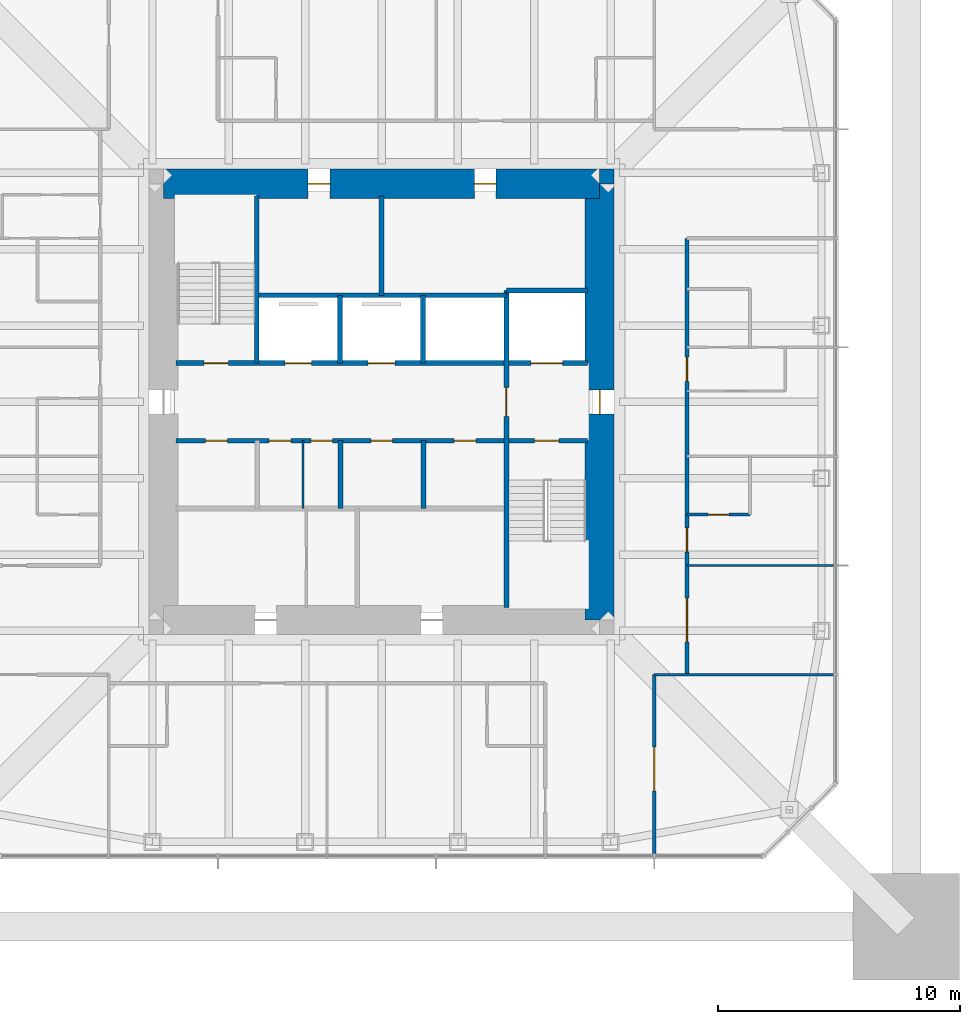
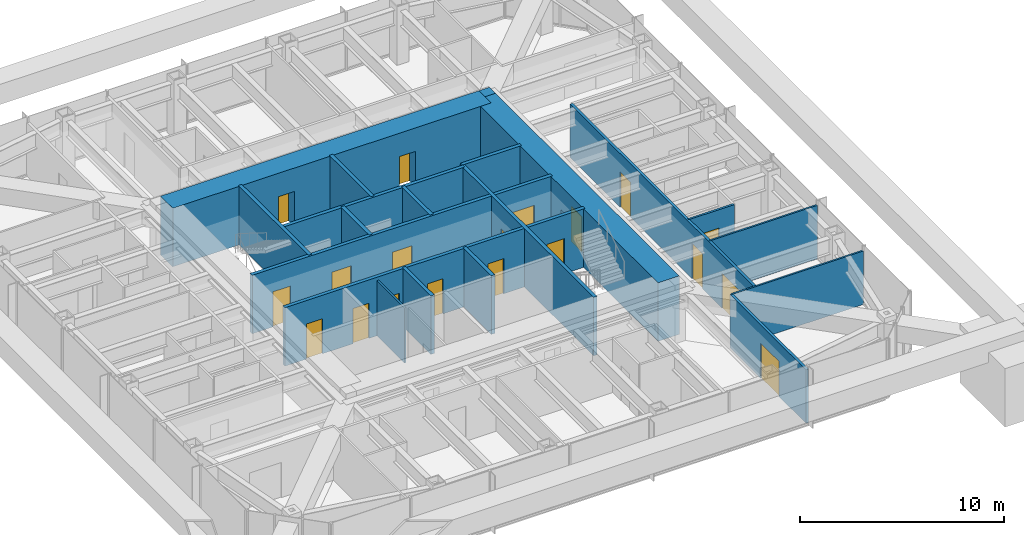
# One storey, part 11 of 15: 20 walls, 19 doors, 19 openings.
"""IFC4 building model written with IfcOpenShell, lengths in metres."""

from ifc_helpers import new_model, si_unit, direction, frame, frame_2d, origin, place, context, subcontext, project, spatial, rectangle, extrude, material, layer, layer_set, type_object, element, fill, save


model = new_model("IFC4")

# Units and contexts
model_context = context("Model", 3, precision=1e-05, world=origin(), true_north=direction((0.0, 1.0)))
body_context = subcontext(model_context, "Body", "Model", "MODEL_VIEW")
ifc_project = project(units=[si_unit("LENGTHUNIT", "METRE"), si_unit("AREAUNIT", "SQUARE_METRE"), si_unit("VOLUMEUNIT", "CUBIC_METRE"), si_unit("PLANEANGLEUNIT", "RADIAN"), si_unit("MASSUNIT", "GRAM", prefix="KILO")], contexts=[model_context])

# Site, building, storey
site_placement = place(None, origin())
site = spatial("IfcSite", under=ifc_project, at=site_placement, CompositionType="ELEMENT")
building_placement = place(site_placement, origin())
building = spatial("IfcBuilding", under=site, at=building_placement, Name="Iwan Alto Co-Living Towers", CompositionType="ELEMENT")
storey_placement = place(building_placement, frame((0.0, 0.0, 205.5)))
storey = spatial("IfcBuildingStorey", under=building, at=storey_placement, Name="L56", CompositionType="ELEMENT", Elevation=205.5)

# Wall, openings, doors
ifc_material_1 = material(Name="Gypsum board")
ifc_layer_1 = layer(ifc_material_1, 0.02490234375, Name="Board", Category="Finish")
ifc_material_2 = material(Name="Steel ASTM A1003 ST33H cold-formed studs", Category="steel")
ifc_layer_2 = layer(ifc_material_2, 0.10009765625, Name="Studs", Category="Framing")
ifc_layer_3 = layer(ifc_material_1, 0.02490234375, Name="Board", Category="Finish")
ifc_layer_set_1 = layer_set([ifc_layer_1, ifc_layer_2, ifc_layer_3], Name="CORRIDOR WALL 150")
wall_type_1 = type_object("IfcWallType", Name="CORRIDOR WALL 150", PredefinedType="PARTITIONING", material=ifc_layer_set_1)
wall_1_placement = place(storey_placement, frame((12.60009765625, -11.25, 0.0), z_axis=(0.0, 0.0, 1.0), x_axis=(0.0, 1.0, 0.0)))
wall_1 = element("IfcWall", 1, at=wall_1_placement, inside=storey, type_object=wall_type_1, Name="Partition L56", PredefinedType="PARTITIONING", context=body_context, shape_type="SweptSolid", body=[
    extrude(rectangle(XDim=18.0, YDim=0.14990234375, at=frame_2d((9.0, 0.0))), origin(), (0.0, 0.0, 1.0), 3.199951171875),
])
opening_1_placement = place(wall_1_placement, frame((1.35009765625, 0.0, 0.0)))
opening_1 = element("IfcOpeningElement", 2, at=opening_1_placement, cuts=wall_1, Name="Opening D9", PredefinedType="OPENING", context=body_context, shape_type="SweptSolid", body=[
    extrude(rectangle(XDim=1.800048828125, YDim=2.10009765625, at=frame_2d((0.89990234375, 1.050048828125))), frame((0.0, 0.0849609375, 0.0), z_axis=(0.0, -1.0, 0.0), x_axis=(1.0, 0.0, 0.0)), (0.0, 0.0, 1.0), 0.169921875),
])
opening_2_placement = place(wall_1_placement, frame((5.050048828125, 0.0, 0.0)))
opening_2 = element("IfcOpeningElement", 3, at=opening_2_placement, cuts=wall_1, Name="Opening D3", PredefinedType="OPENING", context=body_context, shape_type="SweptSolid", body=[
    extrude(rectangle(XDim=1.0, YDim=2.10009765625, at=frame_2d((0.5, 1.050048828125))), frame((0.0, 0.0849609375, 0.0), z_axis=(0.0, -1.0, 0.0), x_axis=(1.0, 0.0, 0.0)), (0.0, 0.0, 1.0), 0.169921875),
])
opening_3_placement = place(wall_1_placement, frame((12.10009765625, 0.0, 0.0)))
opening_3 = element("IfcOpeningElement", 4, at=opening_3_placement, cuts=wall_1, Name="Opening D3", PredefinedType="OPENING", context=body_context, shape_type="SweptSolid", body=[
    extrude(rectangle(XDim=1.0, YDim=2.10009765625, at=frame_2d((0.5, 1.050048828125))), frame((0.0, 0.0849609375, 0.0), z_axis=(0.0, -1.0, 0.0), x_axis=(1.0, 0.0, 0.0)), (0.0, 0.0, 1.0), 0.169921875),
])
ifc_material_3 = material(Name="Steel frame with timber leaf", Category="steel")
door_type_1 = type_object("IfcDoorType", Name="FLAT ENTRANCE DOOR FD30S 1000X2100", OperationType="SINGLE_SWING_LEFT", PredefinedType="DOOR", material=ifc_material_3)
door_1_placement = place(opening_2_placement, frame((1.0, 0.0, 0.0), z_axis=(0.0, 0.0, 1.0), x_axis=(-1.0, 0.0, 0.0)))
door_1 = element("IfcDoor", 5, at=door_1_placement, inside=storey, type_object=door_type_1, Name="Studio door L56", OperationType="SINGLE_SWING_RIGHT", OverallHeight=2.10009765625, OverallWidth=1.0, PredefinedType="DOOR", context=body_context, shape_type="SweptSolid", body=[
    extrude(rectangle(XDim=1.0, YDim=2.10009765625, at=frame_2d((0.5, 1.050048828125))), frame((0.0, 0.02490234375, 0.0), z_axis=(0.0, -1.0, 0.0), x_axis=(1.0, 0.0, 0.0)), (0.0, 0.0, 1.0), 0.050048828125),
])
fill(opening_2, door_1)
door_2_placement = place(opening_3_placement, frame((1.0, 0.0, 0.0), z_axis=(0.0, 0.0, 1.0), x_axis=(-1.0, 0.0, 0.0)))
door_2 = element("IfcDoor", 6, at=door_2_placement, inside=storey, type_object=door_type_1, Name="Apartment foyer door L56", OperationType="SINGLE_SWING_RIGHT", OverallHeight=2.10009765625, OverallWidth=1.0, PredefinedType="DOOR", context=body_context, shape_type="SweptSolid", body=[
    extrude(rectangle(XDim=1.0, YDim=2.10009765625, at=frame_2d((0.5, 1.050048828125))), frame((0.0, 0.02490234375, 0.0), z_axis=(0.0, -1.0, 0.0), x_axis=(1.0, 0.0, 0.0)), (0.0, 0.0, 1.0), 0.050048828125),
])
fill(opening_3, door_2)
ifc_material_4 = material(Name="Steel frame with timber leaf", Category="steel")
door_type_2 = type_object("IfcDoorType", Name="LOUNGE DOOR FD30S 1800X2100", OperationType="DOUBLE_DOOR_SINGLE_SWING", PredefinedType="DOOR", material=ifc_material_4)
door_3_placement = place(opening_1_placement, frame((1.800048828125, 0.0, 0.0), z_axis=(0.0, 0.0, 1.0), x_axis=(-1.0, 0.0, 0.0)))
door_3 = element("IfcDoor", 7, at=door_3_placement, inside=storey, type_object=door_type_2, Name="Teaching kitchen door L56", OperationType="DOUBLE_DOOR_SINGLE_SWING", OverallHeight=2.10009765625, OverallWidth=1.800048828125, PredefinedType="DOOR", context=body_context, shape_type="SweptSolid", body=[
    extrude(rectangle(XDim=1.800048828125, YDim=2.10009765625, at=frame_2d((0.89990234375, 1.050048828125))), frame((0.0, 0.02490234375, 0.0), z_axis=(0.0, -1.0, 0.0), x_axis=(1.0, 0.0, 0.0)), (0.0, 0.0, 1.0), 0.050048828125),
])
fill(opening_1, door_3)

# Wall, opening, door
wall_2_placement = place(storey_placement, frame((11.25, -18.68994140625, 0.0), z_axis=(0.0, 0.0, 1.0), x_axis=(0.0, 1.0, 0.0)))
wall_2 = element("IfcWall", 8, at=wall_2_placement, inside=storey, type_object=wall_type_1, Name="Partition L56", PredefinedType="PARTITIONING", context=body_context, shape_type="SweptSolid", body=[
    extrude(rectangle(XDim=7.43994140625, YDim=0.14990234375, at=frame_2d((3.719970703125, 0.0))), origin(), (0.0, 0.0, 1.0), 3.199951171875),
])
opening_4_placement = place(wall_2_placement, frame((2.64501953125, 0.0, 0.0)))
opening_4 = element("IfcOpeningElement", 9, at=opening_4_placement, cuts=wall_2, Name="Opening D9", PredefinedType="OPENING", context=body_context, shape_type="SweptSolid", body=[
    extrude(rectangle(XDim=1.800048828125, YDim=2.10009765625, at=frame_2d((0.89990234375, 1.050048828125))), frame((0.0, 0.0849609375, 0.0), z_axis=(0.0, -1.0, 0.0), x_axis=(1.0, 0.0, 0.0)), (0.0, 0.0, 1.0), 0.169921875),
])
door_4_placement = place(opening_4_placement, frame((1.800048828125, 0.0, 0.0), z_axis=(0.0, 0.0, 1.0), x_axis=(-1.0, 0.0, 0.0)))
door_4 = element("IfcDoor", 10, at=door_4_placement, inside=storey, type_object=door_type_2, Name="Courtyard lounge door L56", OperationType="DOUBLE_DOOR_SINGLE_SWING", OverallHeight=2.10009765625, OverallWidth=1.800048828125, PredefinedType="DOOR", context=body_context, shape_type="SweptSolid", body=[
    extrude(rectangle(XDim=1.800048828125, YDim=2.10009765625, at=frame_2d((0.89990234375, 1.050048828125))), frame((0.0, 0.02490234375, 0.0), z_axis=(0.0, -1.0, 0.0), x_axis=(1.0, 0.0, 0.0)), (0.0, 0.0, 1.0), 0.050048828125),
])
fill(opening_4, door_4)

# Walls
ifc_layer_4 = layer(ifc_material_1, 0.012451171875, Name="Board", Category="Finish")
ifc_layer_5 = layer(ifc_material_2, 0.074951171875, Name="Studs", Category="Framing")
ifc_layer_6 = layer(ifc_material_1, 0.012451171875, Name="Board", Category="Finish")
ifc_layer_set_2 = layer_set([ifc_layer_4, ifc_layer_5, ifc_layer_6], Name="PARTITION 100")
wall_type_2 = type_object("IfcWallType", Name="PARTITION 100", PredefinedType="PARTITIONING", material=ifc_layer_set_2)
wall_3_placement = place(storey_placement, frame((11.25, -11.25, 0.0), z_axis=(0.0, 0.0, 1.0), x_axis=(1.0, 0.0, 0.0)))
element("IfcWall", 11, at=wall_3_placement, inside=storey, type_object=wall_type_2, Name="Partition L56", PredefinedType="PARTITIONING", context=body_context, shape_type="SweptSolid", body=[
    extrude(rectangle(XDim=7.43994140625, YDim=0.10009765625, at=frame_2d((3.719970703125, 0.0))), origin(), (0.0, 0.0, 1.0), 3.199951171875),
])
wall_4_placement = place(storey_placement, frame((12.60009765625, -6.75, 0.0), z_axis=(0.0, 0.0, 1.0), x_axis=(1.0, 0.0, 0.0)))
element("IfcWall", 12, at=wall_4_placement, inside=storey, type_object=wall_type_2, Name="Partition L56", PredefinedType="PARTITIONING", context=body_context, shape_type="SweptSolid", body=[
    extrude(rectangle(XDim=6.08984375, YDim=0.10009765625, at=frame_2d((3.044921875, 0.0))), origin(), (0.0, 0.0, 1.0), 3.199951171875),
])
wall_5_placement = place(storey_placement, frame((-3.240966796875, -4.39990234375, 0.0), z_axis=(0.0, 0.0, 1.0), x_axis=(0.0, 1.0, 0.0)))
element("IfcWall", 13, at=wall_5_placement, inside=storey, type_object=wall_type_2, Name="Partition L56", PredefinedType="PARTITIONING", context=body_context, shape_type="SweptSolid", body=[
    extrude(rectangle(XDim=2.7998046875, YDim=0.10009765625, at=frame_2d((1.39990234375, 0.0))), origin(), (0.0, 0.0, 1.0), 3.300048828125),
])

# Wall, openings, doors
ifc_material_5 = material(Name="Concrete f'c 70 MPa", Category="concrete")
ifc_layer_7 = layer(ifc_material_5, 0.199951171875)
ifc_layer_set_3 = layer_set([ifc_layer_7], Name="SHAFT WALL 200")
wall_type_3 = type_object("IfcWallType", Name="SHAFT WALL 200", PredefinedType="SOLIDWALL", material=ifc_layer_set_3)
wall_6_placement = place(storey_placement, frame((-8.489990234375, -1.60009765625, 0.0), z_axis=(0.0, 0.0, 1.0), x_axis=(1.0, 0.0, 0.0)))
wall_6 = element("IfcWall", 14, at=wall_6_placement, inside=storey, type_object=wall_type_3, Name="Shaft wall L56", PredefinedType="SOLIDWALL", context=body_context, shape_type="SweptSolid", body=[
    extrude(rectangle(XDim=16.97998046875, YDim=0.199951171875, at=frame_2d((8.489990234375, 0.0))), origin(), (0.0, 0.0, 1.0), 3.5),
])
opening_5_placement = place(wall_6_placement, frame((14.81005859375, 0.0, 0.0)))
opening_5 = element("IfcOpeningElement", 15, at=opening_5_placement, cuts=wall_6, Name="Opening D5", PredefinedType="OPENING", context=body_context, shape_type="SweptSolid", body=[
    extrude(rectangle(XDim=1.0, YDim=2.10009765625, at=frame_2d((0.5, 1.050048828125))), frame((0.0, 0.10986328125, 0.0), z_axis=(0.0, -1.0, 0.0), x_axis=(1.0, 0.0, 0.0)), (0.0, 0.0, 1.0), 0.219970703125),
])
opening_6_placement = place(wall_6_placement, frame((1.23193359375, 0.0, 0.0)))
opening_6 = element("IfcOpeningElement", 16, at=opening_6_placement, cuts=wall_6, Name="Opening D15", PredefinedType="OPENING", context=body_context, shape_type="SweptSolid", body=[
    extrude(rectangle(XDim=0.89990234375, YDim=2.10009765625, at=frame_2d((0.449951171875, 1.050048828125))), frame((0.0, 0.10986328125, 0.0), z_axis=(0.0, -1.0, 0.0), x_axis=(1.0, 0.0, 0.0)), (0.0, 0.0, 1.0), 0.219970703125),
])
opening_7_placement = place(wall_6_placement, frame((5.570068359375, 0.0, 0.0)))
opening_7 = element("IfcOpeningElement", 17, at=opening_7_placement, cuts=wall_6, Name="Opening D15", PredefinedType="OPENING", context=body_context, shape_type="SweptSolid", body=[
    extrude(rectangle(XDim=0.89990234375, YDim=2.10009765625, at=frame_2d((0.449951171875, 1.050048828125))), frame((0.0, 0.10986328125, 0.0), z_axis=(0.0, -1.0, 0.0), x_axis=(1.0, 0.0, 0.0)), (0.0, 0.0, 1.0), 0.219970703125),
])
opening_8_placement = place(wall_6_placement, frame((3.85693359375, 0.0, 0.0)))
opening_8 = element("IfcOpeningElement", 18, at=opening_8_placement, cuts=wall_6, Name="Opening D15", PredefinedType="OPENING", context=body_context, shape_type="SweptSolid", body=[
    extrude(rectangle(XDim=0.89990234375, YDim=2.10009765625, at=frame_2d((0.449951171875, 1.050048828125))), frame((0.0, 0.10986328125, 0.0), z_axis=(0.0, -1.0, 0.0), x_axis=(1.0, 0.0, 0.0)), (0.0, 0.0, 1.0), 0.219970703125),
])
opening_9_placement = place(wall_6_placement, frame((8.052001953125, 0.0, 0.0)))
opening_9 = element("IfcOpeningElement", 19, at=opening_9_placement, cuts=wall_6, Name="Opening D15", PredefinedType="OPENING", context=body_context, shape_type="SweptSolid", body=[
    extrude(rectangle(XDim=0.89990234375, YDim=2.10009765625, at=frame_2d((0.449951171875, 1.050048828125))), frame((0.0, 0.10986328125, 0.0), z_axis=(0.0, -1.0, 0.0), x_axis=(1.0, 0.0, 0.0)), (0.0, 0.0, 1.0), 0.219970703125),
])
opening_10_placement = place(wall_6_placement, frame((11.47802734375, 0.0, 0.0)))
opening_10 = element("IfcOpeningElement", 20, at=opening_10_placement, cuts=wall_6, Name="Opening D15", PredefinedType="OPENING", context=body_context, shape_type="SweptSolid", body=[
    extrude(rectangle(XDim=0.89990234375, YDim=2.10009765625, at=frame_2d((0.449951171875, 1.050048828125))), frame((0.0, 0.10986328125, 0.0), z_axis=(0.0, -1.0, 0.0), x_axis=(1.0, 0.0, 0.0)), (0.0, 0.0, 1.0), 0.219970703125),
])
ifc_material_6 = material(Name="Steel frame with timber leaf", Category="steel")
door_type_3 = type_object("IfcDoorType", Name="CORE ROOM DOOR FD60S 900X2100", OperationType="SINGLE_SWING_LEFT", PredefinedType="DOOR", material=ifc_material_6)
door_5_placement = place(opening_6_placement, frame((0.89990234375, 0.0, 0.0), z_axis=(0.0, 0.0, 1.0), x_axis=(-1.0, 0.0, 0.0)))
door_5 = element("IfcDoor", 21, at=door_5_placement, inside=storey, type_object=door_type_3, Name="Guest pantry door L56", OperationType="SINGLE_SWING_LEFT", OverallHeight=2.10009765625, OverallWidth=0.89990234375, PredefinedType="DOOR", context=body_context, shape_type="SweptSolid", body=[
    extrude(rectangle(XDim=0.89990234375, YDim=2.10009765625, at=frame_2d((0.449951171875, 1.050048828125))), frame((0.0, 0.02490234375, 0.0), z_axis=(0.0, -1.0, 0.0), x_axis=(1.0, 0.0, 0.0)), (0.0, 0.0, 1.0), 0.050048828125),
])
fill(opening_6, door_5)
door_6_placement = place(opening_7_placement, frame((0.89990234375, 0.0, 0.0), z_axis=(0.0, 0.0, 1.0), x_axis=(-1.0, 0.0, 0.0)))
door_6 = element("IfcDoor", 22, at=door_6_placement, inside=storey, type_object=door_type_3, Name="Linen store door L56", OperationType="SINGLE_SWING_RIGHT", OverallHeight=2.10009765625, OverallWidth=0.89990234375, PredefinedType="DOOR", context=body_context, shape_type="SweptSolid", body=[
    extrude(rectangle(XDim=0.89990234375, YDim=2.10009765625, at=frame_2d((0.449951171875, 1.050048828125))), frame((0.0, 0.02490234375, 0.0), z_axis=(0.0, -1.0, 0.0), x_axis=(1.0, 0.0, 0.0)), (0.0, 0.0, 1.0), 0.050048828125),
])
fill(opening_7, door_6)
door_7_placement = place(opening_8_placement, frame((0.89990234375, 0.0, 0.0), z_axis=(0.0, 0.0, 1.0), x_axis=(-1.0, 0.0, 0.0)))
door_7 = element("IfcDoor", 23, at=door_7_placement, inside=storey, type_object=door_type_3, Name="Staff WC door L56", OperationType="SINGLE_SWING_RIGHT", OverallHeight=2.10009765625, OverallWidth=0.89990234375, PredefinedType="DOOR", context=body_context, shape_type="SweptSolid", body=[
    extrude(rectangle(XDim=0.89990234375, YDim=2.10009765625, at=frame_2d((0.449951171875, 1.050048828125))), frame((0.0, 0.02490234375, 0.0), z_axis=(0.0, -1.0, 0.0), x_axis=(1.0, 0.0, 0.0)), (0.0, 0.0, 1.0), 0.050048828125),
])
fill(opening_8, door_7)
door_8_placement = place(opening_9_placement, frame((0.89990234375, 0.0, 0.0), z_axis=(0.0, 0.0, 1.0), x_axis=(-1.0, 0.0, 0.0)))
door_8 = element("IfcDoor", 24, at=door_8_placement, inside=storey, type_object=door_type_3, Name="Comms room door L56", OperationType="SINGLE_SWING_RIGHT", OverallHeight=2.10009765625, OverallWidth=0.89990234375, PredefinedType="DOOR", context=body_context, shape_type="SweptSolid", body=[
    extrude(rectangle(XDim=0.89990234375, YDim=2.10009765625, at=frame_2d((0.449951171875, 1.050048828125))), frame((0.0, 0.02490234375, 0.0), z_axis=(0.0, -1.0, 0.0), x_axis=(1.0, 0.0, 0.0)), (0.0, 0.0, 1.0), 0.050048828125),
])
fill(opening_9, door_8)
door_9_placement = place(opening_10_placement, frame((0.89990234375, 0.0, 0.0), z_axis=(0.0, 0.0, 1.0), x_axis=(-1.0, 0.0, 0.0)))
door_9 = element("IfcDoor", 25, at=door_9_placement, inside=storey, type_object=door_type_3, Name="Vending and ice room door L56", OperationType="SINGLE_SWING_RIGHT", OverallHeight=2.10009765625, OverallWidth=0.89990234375, PredefinedType="DOOR", context=body_context, shape_type="SweptSolid", body=[
    extrude(rectangle(XDim=0.89990234375, YDim=2.10009765625, at=frame_2d((0.449951171875, 1.050048828125))), frame((0.0, 0.02490234375, 0.0), z_axis=(0.0, -1.0, 0.0), x_axis=(1.0, 0.0, 0.0)), (0.0, 0.0, 1.0), 0.050048828125),
])
fill(opening_10, door_9)
ifc_material_7 = material(Name="Steel frame with timber leaf", Category="steel")
door_type_4 = type_object("IfcDoorType", Name="STAIR DOOR FD120S 1000X2100", OperationType="SINGLE_SWING_LEFT", PredefinedType="DOOR", material=ifc_material_7)
door_10_placement = place(opening_5_placement, frame((1.0, 0.0, 0.0), z_axis=(0.0, 0.0, 1.0), x_axis=(-1.0, 0.0, 0.0)))
door_10 = element("IfcDoor", 26, at=door_10_placement, inside=storey, type_object=door_type_4, Name="Stair S2 door L56", OperationType="SINGLE_SWING_RIGHT", OverallHeight=2.10009765625, OverallWidth=1.0, PredefinedType="DOOR", context=body_context, shape_type="SweptSolid", body=[
    extrude(rectangle(XDim=1.0, YDim=2.10009765625, at=frame_2d((0.5, 1.050048828125))), frame((0.0, 0.02490234375, 0.0), z_axis=(0.0, -1.0, 0.0), x_axis=(1.0, 0.0, 0.0)), (0.0, 0.0, 1.0), 0.050048828125),
])
fill(opening_5, door_10)

wall_7_placement = place(storey_placement, frame((-8.489990234375, 1.60009765625, 0.0), z_axis=(0.0, 0.0, 1.0), x_axis=(1.0, 0.0, 0.0)))
wall_7 = element("IfcWall", 27, at=wall_7_placement, inside=storey, type_object=wall_type_3, Name="Shaft wall L56", PredefinedType="SOLIDWALL", context=body_context, shape_type="SweptSolid", body=[
    extrude(rectangle(XDim=16.97998046875, YDim=0.199951171875, at=frame_2d((8.489990234375, 0.0))), origin(), (0.0, 0.0, 1.0), 3.5),
])
opening_11_placement = place(wall_7_placement, frame((1.169921875, 0.0, 0.0)))
opening_11 = element("IfcOpeningElement", 28, at=opening_11_placement, cuts=wall_7, Name="Opening D5", PredefinedType="OPENING", context=body_context, shape_type="SweptSolid", body=[
    extrude(rectangle(XDim=1.0, YDim=2.10009765625, at=frame_2d((0.5, 1.050048828125))), frame((0.0, 0.10986328125, 0.0), z_axis=(0.0, -1.0, 0.0), x_axis=(1.0, 0.0, 0.0)), (0.0, 0.0, 1.0), 0.219970703125),
])
opening_12_placement = place(wall_7_placement, frame((4.506103515625, 0.0, 0.0)))
opening_12 = element("IfcOpeningElement", 29, at=opening_12_placement, cuts=wall_7, Name="Opening LD", PredefinedType="OPENING", context=body_context, shape_type="SweptSolid", body=[
    extrude(rectangle(XDim=1.10009765625, YDim=2.10009765625, at=frame_2d((0.550048828125, 1.050048828125))), frame((0.0, 0.10986328125, 0.0), z_axis=(0.0, -1.0, 0.0), x_axis=(1.0, 0.0, 0.0)), (0.0, 0.0, 1.0), 0.219970703125),
])
opening_13_placement = place(wall_7_placement, frame((7.93994140625, 0.0, 0.0)))
opening_13 = element("IfcOpeningElement", 30, at=opening_13_placement, cuts=wall_7, Name="Opening LD", PredefinedType="OPENING", context=body_context, shape_type="SweptSolid", body=[
    extrude(rectangle(XDim=1.10009765625, YDim=2.10009765625, at=frame_2d((0.550048828125, 1.050048828125))), frame((0.0, 0.10986328125, 0.0), z_axis=(0.0, -1.0, 0.0), x_axis=(1.0, 0.0, 0.0)), (0.0, 0.0, 1.0), 0.219970703125),
])
opening_14_placement = place(wall_7_placement, frame((14.659912109375, 0.0, 0.0)))
opening_14 = element("IfcOpeningElement", 31, at=opening_14_placement, cuts=wall_7, Name="Opening LD2", PredefinedType="OPENING", context=body_context, shape_type="SweptSolid", body=[
    extrude(rectangle(XDim=1.300048828125, YDim=2.10009765625, at=frame_2d((0.64990234375, 1.050048828125))), frame((0.0, 0.10986328125, 0.0), z_axis=(0.0, -1.0, 0.0), x_axis=(1.0, 0.0, 0.0)), (0.0, 0.0, 1.0), 0.219970703125),
])
ifc_material_8 = material(Name="Steel frame with timber leaf", Category="steel")
door_type_5 = type_object("IfcDoorType", Name="LIFT LANDING DOOR 1100X2100", OperationType="DOUBLE_DOOR_SLIDING", PredefinedType="DOOR", material=ifc_material_8)
door_11_placement = place(opening_12_placement, origin())
door_11 = element("IfcDoor", 32, at=door_11_placement, inside=storey, type_object=door_type_5, Name="Lift P3-1 landing door L56", OperationType="DOUBLE_DOOR_SLIDING", OverallHeight=2.10009765625, OverallWidth=1.10009765625, PredefinedType="DOOR", context=body_context, shape_type="SweptSolid", body=[
    extrude(rectangle(XDim=1.10009765625, YDim=2.10009765625, at=frame_2d((0.550048828125, 1.050048828125))), frame((0.0, 0.02490234375, 0.0), z_axis=(0.0, -1.0, 0.0), x_axis=(1.0, 0.0, 0.0)), (0.0, 0.0, 1.0), 0.050048828125),
])
fill(opening_12, door_11)
door_12_placement = place(opening_13_placement, origin())
door_12 = element("IfcDoor", 33, at=door_12_placement, inside=storey, type_object=door_type_5, Name="Lift P3-2 landing door L56", OperationType="DOUBLE_DOOR_SLIDING", OverallHeight=2.10009765625, OverallWidth=1.10009765625, PredefinedType="DOOR", context=body_context, shape_type="SweptSolid", body=[
    extrude(rectangle(XDim=1.10009765625, YDim=2.10009765625, at=frame_2d((0.550048828125, 1.050048828125))), frame((0.0, 0.02490234375, 0.0), z_axis=(0.0, -1.0, 0.0), x_axis=(1.0, 0.0, 0.0)), (0.0, 0.0, 1.0), 0.050048828125),
])
fill(opening_13, door_12)
ifc_material_9 = material(Name="Steel frame with timber leaf", Category="steel")
door_type_6 = type_object("IfcDoorType", Name="LIFT LANDING DOOR 1300X2100", OperationType="SLIDING_TO_LEFT", PredefinedType="DOOR", material=ifc_material_9)
door_13_placement = place(opening_14_placement, origin())
door_13 = element("IfcDoor", 34, at=door_13_placement, inside=storey, type_object=door_type_6, Name="Lift FL1 landing door L56", OperationType="SLIDING_TO_LEFT", OverallHeight=2.10009765625, OverallWidth=1.300048828125, PredefinedType="DOOR", context=body_context, shape_type="SweptSolid", body=[
    extrude(rectangle(XDim=1.300048828125, YDim=2.10009765625, at=frame_2d((0.64990234375, 1.050048828125))), frame((0.0, 0.02490234375, 0.0), z_axis=(0.0, -1.0, 0.0), x_axis=(1.0, 0.0, 0.0)), (0.0, 0.0, 1.0), 0.050048828125),
])
fill(opening_14, door_13)
door_14_placement = place(opening_11_placement, origin())
door_14 = element("IfcDoor", 35, at=door_14_placement, inside=storey, type_object=door_type_4, Name="Stair S1 door L56", OperationType="SINGLE_SWING_RIGHT", OverallHeight=2.10009765625, OverallWidth=1.0, PredefinedType="DOOR", context=body_context, shape_type="SweptSolid", body=[
    extrude(rectangle(XDim=1.0, YDim=2.10009765625, at=frame_2d((0.5, 1.050048828125))), frame((0.0, 0.02490234375, 0.0), z_axis=(0.0, -1.0, 0.0), x_axis=(1.0, 0.0, 0.0)), (0.0, 0.0, 1.0), 0.050048828125),
])
fill(opening_11, door_14)

# Walls
wall_8_placement = place(storey_placement, frame((-5.14990234375, 4.39990234375, 0.0), z_axis=(0.0, 0.0, 1.0), x_axis=(1.0, 0.0, 0.0)))
element("IfcWall", 36, at=wall_8_placement, inside=storey, type_object=wall_type_3, Name="Shaft wall L56", PredefinedType="SOLIDWALL", context=body_context, shape_type="SweptSolid", body=[
    extrude(rectangle(XDim=10.2998046875, YDim=0.199951171875, at=frame_2d((5.14990234375, 0.0))), origin(), (0.0, 0.0, 1.0), 3.5),
])
wall_9_placement = place(storey_placement, frame((5.14990234375, 4.60009765625, 0.0), z_axis=(0.0, 0.0, 1.0), x_axis=(1.0, 0.0, 0.0)))
element("IfcWall", 37, at=wall_9_placement, inside=storey, type_object=wall_type_3, Name="Shaft wall L56", PredefinedType="SOLIDWALL", context=body_context, shape_type="SweptSolid", body=[
    extrude(rectangle(XDim=3.340087890625, YDim=0.199951171875, at=frame_2d((1.669921875, 0.0))), origin(), (0.0, 0.0, 1.0), 3.5),
])

# Wall, opening, door
wall_10_placement = place(storey_placement, frame((5.14990234375, -8.489990234375, 0.0), z_axis=(0.0, 0.0, 1.0), x_axis=(0.0, 1.0, 0.0)))
wall_10 = element("IfcWall", 38, at=wall_10_placement, inside=storey, type_object=wall_type_3, Name="Shaft wall L56", PredefinedType="SOLIDWALL", context=body_context, shape_type="SweptSolid", body=[
    extrude(rectangle(XDim=13.090087890625, YDim=0.199951171875, at=frame_2d((6.544921875, 0.0))), origin(), (0.0, 0.0, 1.0), 3.5),
])
opening_15_placement = place(wall_10_placement, frame((7.889892578125, 0.0, 0.0)))
opening_15 = element("IfcOpeningElement", 39, at=opening_15_placement, cuts=wall_10, Name="Opening D6", PredefinedType="OPENING", context=body_context, shape_type="SweptSolid", body=[
    extrude(rectangle(XDim=1.199951171875, YDim=2.10009765625, at=frame_2d((0.60009765625, 1.050048828125))), frame((0.0, 0.10986328125, 0.0), z_axis=(0.0, -1.0, 0.0), x_axis=(1.0, 0.0, 0.0)), (0.0, 0.0, 1.0), 0.219970703125),
])
ifc_material_10 = material(Name="Steel frame with timber leaf", Category="steel")
door_type_7 = type_object("IfcDoorType", Name="LOBBY DOOR FD120S 1200X2100", OperationType="SINGLE_SWING_LEFT", PredefinedType="DOOR", material=ifc_material_10)
door_15_placement = place(opening_15_placement, frame((1.199951171875, 0.0, 0.0), z_axis=(0.0, 0.0, 1.0), x_axis=(-1.0, 0.0, 0.0)))
door_15 = element("IfcDoor", 40, at=door_15_placement, inside=storey, type_object=door_type_7, Name="Firefighting lobby door L56", OperationType="SINGLE_SWING_RIGHT", OverallHeight=2.10009765625, OverallWidth=1.199951171875, PredefinedType="DOOR", context=body_context, shape_type="SweptSolid", body=[
    extrude(rectangle(XDim=1.199951171875, YDim=2.10009765625, at=frame_2d((0.60009765625, 1.050048828125))), frame((0.0, 0.02490234375, 0.0), z_axis=(0.0, -1.0, 0.0), x_axis=(1.0, 0.0, 0.0)), (0.0, 0.0, 1.0), 0.050048828125),
])
fill(opening_15, door_15)

# Walls
for number, where, z_axis, x_axis, name in (
    (41, (1.72509765625, -4.39990234375, 0.0), (0.0, 0.0, 1.0), (0.0, 1.0, 0.0), "Shaft wall L56"),
    (42, (1.717041015625, 1.60009765625, 0.0), (0.0, 0.0, 1.0), (0.0, 1.0, 0.0), "Shaft wall L56"),
):
    element("IfcWall", number, at=place(storey_placement, frame(where, z_axis=z_axis, x_axis=x_axis)), inside=storey, type_object=wall_type_3, Name=name, PredefinedType="SOLIDWALL", context=body_context, shape_type="SweptSolid", body=[
        extrude(rectangle(XDim=2.7998046875, YDim=0.199951171875, at=frame_2d((1.39990234375, 0.0))), origin(), (0.0, 0.0, 1.0), 3.5),
    ])
wall_11_placement = place(storey_placement, frame((0.0, 4.39990234375, 0.0), z_axis=(0.0, 0.0, 1.0), x_axis=(0.0, 1.0, 0.0)))
element("IfcWall", 43, at=wall_11_placement, inside=storey, type_object=wall_type_3, Name="Shaft wall L56", PredefinedType="SOLIDWALL", context=body_context, shape_type="SweptSolid", body=[
    extrude(rectangle(XDim=4.090087890625, YDim=0.199951171875, at=frame_2d((2.044921875, 0.0))), origin(), (0.0, 0.0, 1.0), 3.5),
])
for number, where, z_axis, x_axis, name in (
    (44, (-1.699951171875, -4.39990234375, 0.0), (0.0, 0.0, 1.0), (0.0, 1.0, 0.0), "Shaft wall L56"),
    (45, (-1.717041015625, 1.60009765625, 0.0), (0.0, 0.0, 1.0), (0.0, 1.0, 0.0), "Shaft wall L56"),
):
    element("IfcWall", number, at=place(storey_placement, frame(where, z_axis=z_axis, x_axis=x_axis)), inside=storey, type_object=wall_type_3, Name=name, PredefinedType="SOLIDWALL", context=body_context, shape_type="SweptSolid", body=[
        extrude(rectangle(XDim=2.7998046875, YDim=0.199951171875, at=frame_2d((1.39990234375, 0.0))), origin(), (0.0, 0.0, 1.0), 3.5),
    ])
wall_12_placement = place(storey_placement, frame((-5.14990234375, 1.60009765625, 0.0), z_axis=(0.0, 0.0, 1.0), x_axis=(0.0, 1.0, 0.0)))
element("IfcWall", 46, at=wall_12_placement, inside=storey, type_object=wall_type_3, Name="Shaft wall L56", PredefinedType="SOLIDWALL", context=body_context, shape_type="SweptSolid", body=[
    extrude(rectangle(XDim=6.889892578125, YDim=0.199951171875, at=frame_2d((3.44482421875, 0.0))), origin(), (0.0, 0.0, 1.0), 3.5),
])
ifc_material_11 = material(Name="Concrete f'c 70 MPa", Category="concrete")
ifc_layer_8 = layer(ifc_material_11, 0.60009765625)
ifc_layer_set_4 = layer_set([ifc_layer_8], Name="T1 CORE CORNER FILL 600")
wall_type_4 = type_object("IfcWallType", Name="T1 CORE CORNER FILL 600", PredefinedType="SOLIDWALL", material=ifc_layer_set_4)
wall_13_placement = place(storey_placement, frame((9.0, 9.300048828125, 0.0), z_axis=(0.0, 0.0, 1.0), x_axis=(1.0, 0.0, 0.0)))
element("IfcWall", 47, at=wall_13_placement, inside=storey, type_object=wall_type_4, Name="T1 core corner NE L56", PredefinedType="SOLIDWALL", context=body_context, shape_type="SweptSolid", body=[
    extrude(rectangle(XDim=0.60009765625, YDim=0.60009765625, at=frame_2d((0.300048828125, 0.0))), origin(), (0.0, 0.0, 1.0), 3.5),
])

# Wall, openings, doors
ifc_material_12 = material(Name="Concrete f'c 70 MPa", Category="concrete")
ifc_layer_9 = layer(ifc_material_12, 1.199951171875)
ifc_layer_set_5 = layer_set([ifc_layer_9], Name="T1 CORE WALL 1200")
wall_type_5 = type_object("IfcWallType", Name="T1 CORE WALL 1200", PredefinedType="SHEAR", material=ifc_layer_set_5)
wall_14_placement = place(storey_placement, frame((9.0, 9.0, 0.0), z_axis=(0.0, 0.0, 1.0), x_axis=(-1.0, 0.0, 0.0)))
wall_14 = element("IfcWall", 48, at=wall_14_placement, inside=storey, type_object=wall_type_5, Name="T1 core wall N L56", PredefinedType="SHEAR", context=body_context, shape_type="SweptSolid", body=[
    extrude(rectangle(XDim=18.0, YDim=1.199951171875, at=frame_2d((9.0, 0.0))), origin(), (0.0, 0.0, 1.0), 3.5),
])
opening_16_placement = place(wall_14_placement, frame((11.125, 0.0, 0.0)))
opening_16 = element("IfcOpeningElement", 49, at=opening_16_placement, cuts=wall_14, Name="Opening D8", PredefinedType="OPENING", context=body_context, shape_type="SweptSolid", body=[
    extrude(rectangle(XDim=0.89990234375, YDim=2.10009765625, at=frame_2d((0.449951171875, 1.050048828125))), frame((0.0, 0.60986328125, 0.0), z_axis=(0.0, -1.0, 0.0), x_axis=(1.0, 0.0, 0.0)), (0.0, 0.0, 1.0), 1.219970703125),
])
opening_17_placement = place(wall_14_placement, frame((4.27490234375, 0.0, 0.0)))
opening_17 = element("IfcOpeningElement", 50, at=opening_17_placement, cuts=wall_14, Name="Opening D8", PredefinedType="OPENING", context=body_context, shape_type="SweptSolid", body=[
    extrude(rectangle(XDim=0.89990234375, YDim=2.10009765625, at=frame_2d((0.449951171875, 1.050048828125))), frame((0.0, 0.60986328125, 0.0), z_axis=(0.0, -1.0, 0.0), x_axis=(1.0, 0.0, 0.0)), (0.0, 0.0, 1.0), 1.219970703125),
])
ifc_material_13 = material(Name="Steel frame with timber leaf", Category="steel")
door_type_8 = type_object("IfcDoorType", Name="RISER DOOR FD120 900X2100", OperationType="SINGLE_SWING_LEFT", PredefinedType="DOOR", material=ifc_material_13)
door_16_placement = place(opening_16_placement, origin())
door_16 = element("IfcDoor", 51, at=door_16_placement, inside=storey, type_object=door_type_8, Name="Electrical riser core door L56", OperationType="SINGLE_SWING_RIGHT", OverallHeight=2.10009765625, OverallWidth=0.89990234375, PredefinedType="DOOR", context=body_context, shape_type="SweptSolid", body=[
    extrude(rectangle(XDim=0.89990234375, YDim=2.10009765625, at=frame_2d((0.449951171875, 1.050048828125))), frame((0.0, 0.02490234375, 0.0), z_axis=(0.0, -1.0, 0.0), x_axis=(1.0, 0.0, 0.0)), (0.0, 0.0, 1.0), 0.050048828125),
])
fill(opening_16, door_16)
door_17_placement = place(opening_17_placement, origin())
door_17 = element("IfcDoor", 52, at=door_17_placement, inside=storey, type_object=door_type_8, Name="Water and drainage riser core door L56", OperationType="SINGLE_SWING_RIGHT", OverallHeight=2.10009765625, OverallWidth=0.89990234375, PredefinedType="DOOR", context=body_context, shape_type="SweptSolid", body=[
    extrude(rectangle(XDim=0.89990234375, YDim=2.10009765625, at=frame_2d((0.449951171875, 1.050048828125))), frame((0.0, 0.02490234375, 0.0), z_axis=(0.0, -1.0, 0.0), x_axis=(1.0, 0.0, 0.0)), (0.0, 0.0, 1.0), 0.050048828125),
])
fill(opening_17, door_17)

# Wall, opening, door
wall_15_placement = place(storey_placement, frame((9.0, -9.0, 0.0), z_axis=(0.0, 0.0, 1.0), x_axis=(0.0, 1.0, 0.0)))
wall_15 = element("IfcWall", 53, at=wall_15_placement, inside=storey, type_object=wall_type_5, Name="T1 core wall E L56", PredefinedType="SHEAR", context=body_context, shape_type="SweptSolid", body=[
    extrude(rectangle(XDim=18.0, YDim=1.199951171875, at=frame_2d((9.0, 0.0))), origin(), (0.0, 0.0, 1.0), 3.5),
])
opening_18_placement = place(wall_15_placement, frame((8.5, 0.0, 0.0)))
opening_18 = element("IfcOpeningElement", 54, at=opening_18_placement, cuts=wall_15, Name="Opening D7", PredefinedType="OPENING", context=body_context, shape_type="SweptSolid", body=[
    extrude(rectangle(XDim=1.0, YDim=2.10009765625, at=frame_2d((0.5, 1.050048828125))), frame((0.0, 0.60986328125, 0.0), z_axis=(0.0, -1.0, 0.0), x_axis=(1.0, 0.0, 0.0)), (0.0, 0.0, 1.0), 1.219970703125),
])
ifc_material_14 = material(Name="Steel frame with timber leaf", Category="steel")
door_type_9 = type_object("IfcDoorType", Name="CORE DOOR FD120S 1000X2100", OperationType="SINGLE_SWING_LEFT", PredefinedType="DOOR", material=ifc_material_14)
door_18_placement = place(opening_18_placement, origin())
door_18 = element("IfcDoor", 55, at=door_18_placement, inside=storey, type_object=door_type_9, Name="Firefighting lobby core door L56", OperationType="SINGLE_SWING_LEFT", OverallHeight=2.10009765625, OverallWidth=1.0, PredefinedType="DOOR", context=body_context, shape_type="SweptSolid", body=[
    extrude(rectangle(XDim=1.0, YDim=2.10009765625, at=frame_2d((0.5, 1.050048828125))), frame((0.0, 0.02490234375, 0.0), z_axis=(0.0, -1.0, 0.0), x_axis=(1.0, 0.0, 0.0)), (0.0, 0.0, 1.0), 0.050048828125),
])
fill(opening_18, door_18)

ifc_material_15 = material(Name="Cement board")
ifc_layer_10 = layer(ifc_material_15, 0.012451171875, Name="Board", Category="Finish")
ifc_layer_11 = layer(ifc_material_2, 0.094970703125, Name="Studs", Category="Framing")
ifc_layer_12 = layer(ifc_material_15, 0.012451171875, Name="Board", Category="Finish")
ifc_layer_set_6 = layer_set([ifc_layer_10, ifc_layer_11, ifc_layer_12], Name="WET AREA PARTITION 120")
wall_type_6 = type_object("IfcWallType", Name="WET AREA PARTITION 120", PredefinedType="PARTITIONING", material=ifc_layer_set_6)
wall_16_placement = place(storey_placement, frame((12.60009765625, -4.64990234375, 0.0), z_axis=(0.0, 0.0, 1.0), x_axis=(1.0, 0.0, 0.0)))
wall_16 = element("IfcWall", 56, at=wall_16_placement, inside=storey, type_object=wall_type_6, Name="Partition L56", PredefinedType="PARTITIONING", context=body_context, shape_type="SweptSolid", body=[
    extrude(rectangle(XDim=2.599853515625, YDim=0.1201171875, at=frame_2d((1.2998046875, 0.0))), origin(), (0.0, 0.0, 1.0), 3.199951171875),
])
opening_19_placement = place(wall_16_placement, frame((0.875, 0.0, 0.0)))
opening_19 = element("IfcOpeningElement", 57, at=opening_19_placement, cuts=wall_16, Name="Opening D2", PredefinedType="OPENING", context=body_context, shape_type="SweptSolid", body=[
    extrude(rectangle(XDim=0.85009765625, YDim=2.10009765625, at=frame_2d((0.425048828125, 1.050048828125))), frame((0.0, 0.070068359375, 0.0), z_axis=(0.0, -1.0, 0.0), x_axis=(1.0, 0.0, 0.0)), (0.0, 0.0, 1.0), 0.14013671875),
])
ifc_material_16 = material(Name="Timber leaf in steel frame", Category="steel")
door_type_10 = type_object("IfcDoorType", Name="ROOM DOOR 850X2100", OperationType="SINGLE_SWING_LEFT", PredefinedType="DOOR", material=ifc_material_16)
door_19_placement = place(opening_19_placement, frame((0.85009765625, 0.0, 0.0), z_axis=(0.0, 0.0, 1.0), x_axis=(-1.0, 0.0, 0.0)))
door_19 = element("IfcDoor", 58, at=door_19_placement, inside=storey, type_object=door_type_10, Name="En-suite shower room door L56", OperationType="SINGLE_SWING_RIGHT", OverallHeight=2.10009765625, OverallWidth=0.85009765625, PredefinedType="DOOR", context=body_context, shape_type="SweptSolid", body=[
    extrude(rectangle(XDim=0.85009765625, YDim=2.10009765625, at=frame_2d((0.425048828125, 1.050048828125))), frame((0.0, 0.02490234375, 0.0), z_axis=(0.0, -1.0, 0.0), x_axis=(1.0, 0.0, 0.0)), (0.0, 0.0, 1.0), 0.050048828125),
])
fill(opening_19, door_19)

save(model, "model.ifc")
